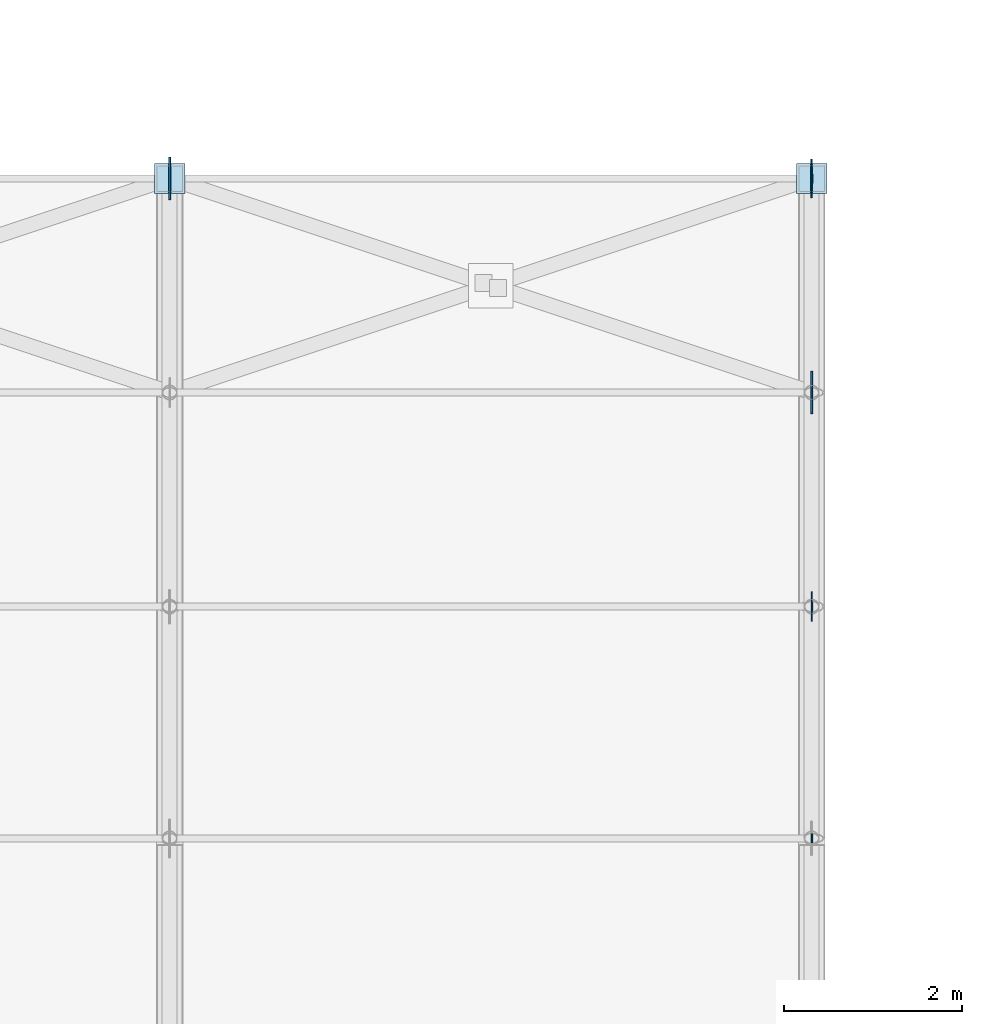
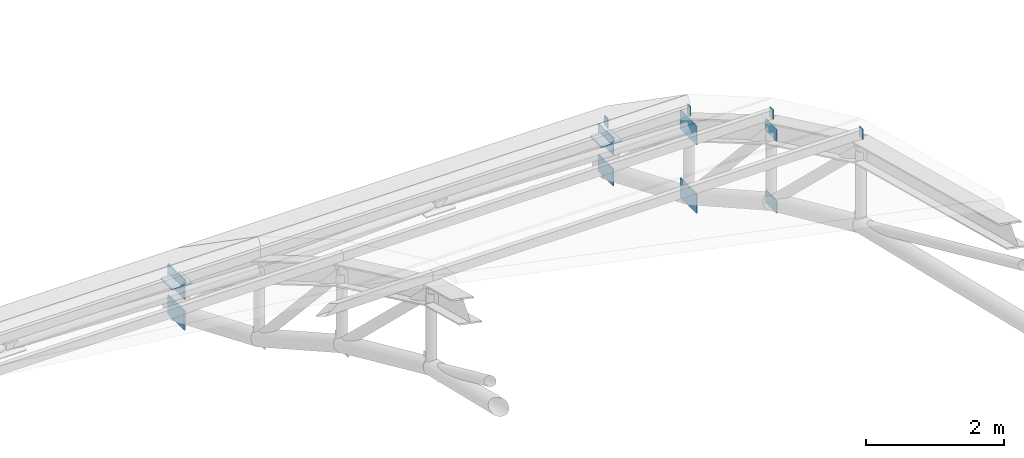
# One storey, part 56 of 63: 14 plates.
"""IFC4 building model written with IfcOpenShell, lengths in metres."""

from ifc_helpers import new_model, si_unit, direction, frame, origin, origin_2d, place, context, subcontext, project, spatial, rectangle, extrude, material, layer, layer_set, type_object, element, save


model = new_model("IFC4")

# Units and contexts
model_context = context("Model", 3, precision=1e-05, world=origin(), true_north=direction((0.0, 1.0)))
body_context = subcontext(model_context, "Body", "Model", "MODEL_VIEW")
ifc_project = project(units=[si_unit("LENGTHUNIT", "METRE"), si_unit("AREAUNIT", "SQUARE_METRE"), si_unit("VOLUMEUNIT", "CUBIC_METRE"), si_unit("PLANEANGLEUNIT", "RADIAN"), si_unit("MASSUNIT", "GRAM", prefix="KILO")], contexts=[model_context])

# Site, building, storey
site_placement = place(None, origin())
site = spatial("IfcSite", under=ifc_project, at=site_placement, CompositionType="ELEMENT")
building_placement = place(site_placement, origin())
building = spatial("IfcBuilding", under=site, at=building_placement, Name="Solvadek Multi-Sports Hall", CompositionType="ELEMENT")
storey_placement = place(building_placement, frame((0.0, 0.0, 19.199951171875)))
storey = spatial("IfcBuildingStorey", under=building, at=storey_placement, Name="RF", CompositionType="ELEMENT", Elevation=19.199951171875)

# Plates
ifc_material = material(Name="Steel E350 (350 MPa)", Category="steel")
ifc_layer_1 = layer(ifc_material, 0.01611328125, Name="Steel E350 (350 MPa)")
ifc_layer_set_1 = layer_set([ifc_layer_1], Name="Steel E350 (350 MPa)")
plate_type_1 = type_object("IfcPlateType", Name="STR-PLT-CAP16", PredefinedType="USERDEFINED", material=ifc_layer_set_1)
for number, where, z_axis, x_axis, name in (
    (1, (57.60400390625, 70.60009765625, 0.25634765625), (0.0, 0.0, 1.0), (1.0, 0.0, 0.0), "V4 Purlin End Cap Plate #53"),
    (2, (57.60400390625, 73.199951171875, -0.97216796875), (0.0, 0.0, 1.0), (1.0, 0.0, 0.0), "V4 Purlin End Cap Plate #54"),
    (3, (57.60400390625, 75.60009765625, -2.37109375), (0.0, 0.0, 1.0), (1.0, 0.0, 0.0), "V4 Purlin End Cap Plate #55"),
    (4, (57.60400390625, 78.0, -4.03662109375), (0.0, 0.0, 1.0), (1.0, 0.0, 0.0), "V4 Purlin End Cap Plate #56"),
):
    element("IfcPlate", number, at=place(storey_placement, frame(where, z_axis=z_axis, x_axis=x_axis)), inside=storey, type_object=plate_type_1, Name=name, ObjectType="BASE_PLATE", PredefinedType="USERDEFINED", context=body_context, shape_type="SweptSolid", body=[
        extrude(rectangle(XDim=0.01611328125, YDim=0.10009765625, at=origin_2d()), origin(), (0.0, 0.0, 1.0), 0.179931640625),
    ])
ifc_layer_2 = layer(ifc_material, 0.02001953125, Name="Steel E350 (350 MPa)")
ifc_layer_set_2 = layer_set([ifc_layer_2], Name="Steel E350 (350 MPa)")
plate_type_2 = type_object("IfcPlateType", Name="STR-PLT-CAP340", PredefinedType="USERDEFINED", material=ifc_layer_set_2)
for number, where, z_axis, x_axis, name in (
    (5, (50.39990234375, 78.0, -4.25), (0.0, 0.0, 1.0), (1.0, 0.0, 0.0), "v4 Bearing Post Cap #5.8"),
    (6, (57.60009765625, 78.0, -4.25), (0.0, 0.0, 1.0), (1.0, 0.0, 0.0), "v4 Bearing Post Cap #6.8"),
):
    element("IfcPlate", number, at=place(storey_placement, frame(where, z_axis=z_axis, x_axis=x_axis)), inside=storey, type_object=plate_type_2, Name=name, ObjectType="BASE_PLATE", PredefinedType="USERDEFINED", context=body_context, shape_type="SweptSolid", body=[
        extrude(rectangle(XDim=0.340087890625, YDim=0.340087890625, at=origin_2d()), origin(), (0.0, 0.0, 1.0), 0.02001953125),
    ])
ifc_layer_3 = layer(ifc_material, 0.013916015625, Name="Steel E350 (350 MPa)")
ifc_layer_set_3 = layer_set([ifc_layer_3], Name="Steel E350 (350 MPa)")
plate_type_3 = type_object("IfcPlateType", Name="STR-PLT-GUS330", PredefinedType="USERDEFINED", material=ifc_layer_set_3)
for number, where, z_axis, x_axis, name in (
    (7, (57.60009765625, 73.199951171875, -1.28515625), (0.0, 0.0, 1.0), (0.0, 1.0, 0.0), "V4 Truss Top Gusset Plate #253"),
    (8, (57.60009765625, 73.199951171875, -2.5517578125), (0.0, 0.0, 1.0), (0.0, 1.0, 0.0), "V4 Truss Bottom Gusset Plate #254"),
):
    element("IfcPlate", number, at=place(storey_placement, frame(where, z_axis=z_axis, x_axis=x_axis)), inside=storey, type_object=plate_type_3, Name=name, ObjectType="GUSSET_PLATE", PredefinedType="USERDEFINED", context=body_context, shape_type="SweptSolid", body=[
        extrude(rectangle(XDim=0.330078125, YDim=0.013916015625, at=origin_2d()), origin(), (0.0, 0.0, 1.0), 0.219970703125),
    ])
ifc_layer_4 = layer(ifc_material, 0.01806640625, Name="Steel E350 (350 MPa)")
ifc_layer_set_4 = layer_set([ifc_layer_4], Name="Steel E350 (350 MPa)")
plate_type_4 = type_object("IfcPlateType", Name="STR-PLT-GUS430", PredefinedType="USERDEFINED", material=ifc_layer_set_4)
for number, where, z_axis, x_axis, name in (
    (9, (57.60009765625, 78.0, -4.39990234375), (0.0, 0.0, 1.0), (0.0, 1.0, 0.0), "V4 Truss Top Gusset Plate #257"),
    (10, (57.60009765625, 78.0, -4.9501953125), (0.0, 0.0, 1.0), (0.0, 1.0, 0.0), "V4 Truss Bottom Gusset Plate #258"),
):
    element("IfcPlate", number, at=place(storey_placement, frame(where, z_axis=z_axis, x_axis=x_axis)), inside=storey, type_object=plate_type_4, Name=name, ObjectType="GUSSET_PLATE", PredefinedType="USERDEFINED", context=body_context, shape_type="SweptSolid", body=[
        extrude(rectangle(XDim=0.429931640625, YDim=0.01806640625, at=origin_2d()), origin(), (0.0, 0.0, 1.0), 0.300048828125),
    ])
ifc_layer_5 = layer(ifc_material, 0.02001953125, Name="Steel E350 (350 MPa)")
ifc_layer_set_5 = layer_set([ifc_layer_5], Name="Steel E350 (350 MPa)")
plate_type_5 = type_object("IfcPlateType", Name="STR-PLT-GUS480", PredefinedType="USERDEFINED", material=ifc_layer_set_5)
for number, where, z_axis, x_axis, name in (
    (11, (50.39990234375, 78.0, -4.419921875), (0.0, 0.0, 1.0), (0.0, 1.0, 0.0), "V4 Truss Top Gusset Plate #239"),
    (12, (50.39990234375, 78.0, -4.97021484375), (0.0, 0.0, 1.0), (0.0, 1.0, 0.0), "V4 Truss Bottom Gusset Plate #240"),
    (13, (57.60009765625, 75.60009765625, -2.75439453125), (0.0, 0.0, 1.0), (0.0, 1.0, 0.0), "V4 Truss Top Gusset Plate #255"),
    (14, (57.60009765625, 75.60009765625, -3.962890625), (0.0, 0.0, 1.0), (0.0, 1.0, 0.0), "V4 Truss Bottom Gusset Plate #256"),
):
    element("IfcPlate", number, at=place(storey_placement, frame(where, z_axis=z_axis, x_axis=x_axis)), inside=storey, type_object=plate_type_5, Name=name, ObjectType="GUSSET_PLATE", PredefinedType="USERDEFINED", context=body_context, shape_type="SweptSolid", body=[
        extrude(rectangle(XDim=0.47998046875, YDim=0.02001953125, at=origin_2d()), origin(), (0.0, 0.0, 1.0), 0.340087890625),
    ])

save(model, "model.ifc")
